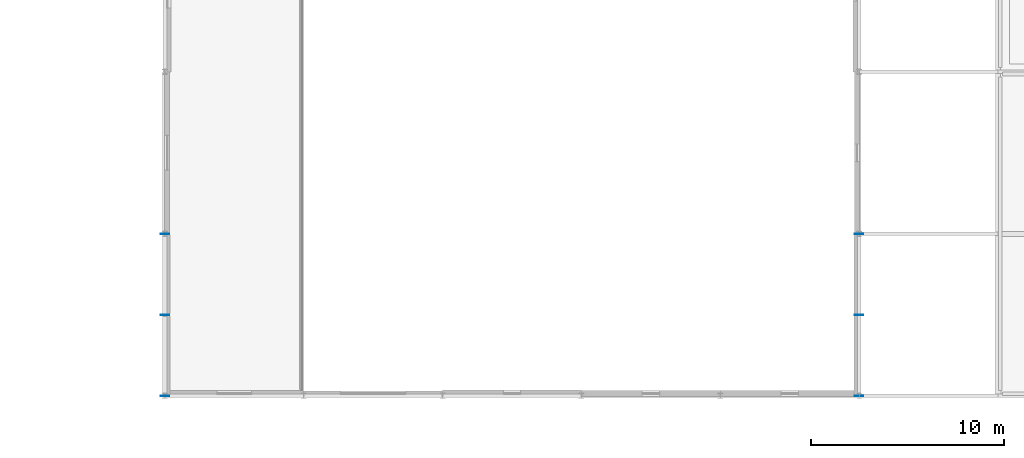
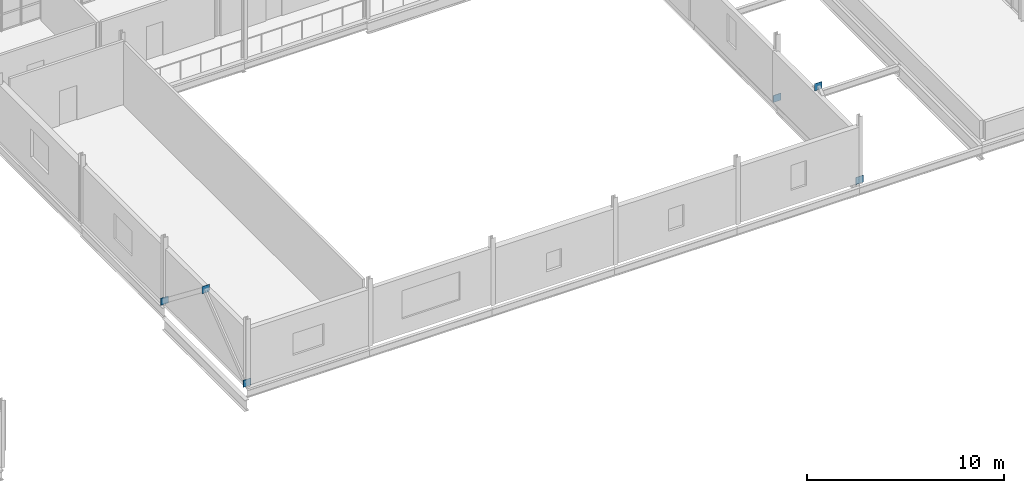
# One storey, part 85 of 119: 6 plates.
"""IFC4 building model written with IfcOpenShell, lengths in metres."""

from ifc_helpers import new_model, si_unit, direction, frame, origin, origin_2d, place, context, subcontext, project, spatial, rectangle, extrude, material, layer, layer_set, type_object, element, save


model = new_model("IFC4")

# Units and contexts
model_context = context("Model", 3, precision=1e-05, world=origin(), true_north=direction((0.0, 1.0)))
body_context = subcontext(model_context, "Body", "Model", "MODEL_VIEW")
ifc_project = project(units=[si_unit("LENGTHUNIT", "METRE"), si_unit("AREAUNIT", "SQUARE_METRE"), si_unit("VOLUMEUNIT", "CUBIC_METRE"), si_unit("PLANEANGLEUNIT", "RADIAN"), si_unit("MASSUNIT", "GRAM", prefix="KILO")], contexts=[model_context])

# Site, building, storey
site_placement = place(None, origin())
site = spatial("IfcSite", under=ifc_project, at=site_placement, CompositionType="ELEMENT")
building_placement = place(site_placement, origin())
building = spatial("IfcBuilding", under=site, at=building_placement, Name="Qelthora Terrace Specialist Clinic", CompositionType="ELEMENT")
storey_placement = place(building_placement, frame((0.0, 0.0, 4.800048828125)))
storey = spatial("IfcBuildingStorey", under=building, at=storey_placement, Name="L01", CompositionType="ELEMENT", Elevation=4.800048828125)

# Plates
ifc_material = material(Name="Steel S355", Category="steel")
ifc_layer = layer(ifc_material, 0.02001953125)
ifc_layer_set = layer_set([ifc_layer], Name="Steel S355")
plate_type = type_object("IfcPlateType", Name="PLT-GUS-480X480X20", PredefinedType="USERDEFINED", material=ifc_layer_set)
for number, where, z_axis, x_axis, name in (
    (1, (57.60009765625, 0.0, -0.0400390625), (0.0, 0.0, 1.0), (1.0, 0.0, 0.0), "Steel truss node plate GPLT-0179"),
    (2, (57.60009765625, 4.199951171875, 3.22998046875), (0.0, 0.0, 1.0), (1.0, 0.0, 0.0), "Steel truss node plate GPLT-0180"),
    (3, (57.60009765625, 8.39990234375, -0.0400390625), (0.0, 0.0, 1.0), (1.0, 0.0, 0.0), "Steel truss node plate GPLT-0181"),
    (4, (93.60009765625, 0.0, -0.0400390625), (0.0, 0.0, 1.0), (1.0, 0.0, 0.0), "Steel truss node plate GPLT-0185"),
    (5, (93.60009765625, 4.199951171875, 3.22998046875), (0.0, 0.0, 1.0), (1.0, 0.0, 0.0), "Steel truss node plate GPLT-0186"),
    (6, (93.60009765625, 8.39990234375, -0.0400390625), (0.0, 0.0, 1.0), (1.0, 0.0, 0.0), "Steel truss node plate GPLT-0187"),
):
    element("IfcPlate", number, at=place(storey_placement, frame(where, z_axis=z_axis, x_axis=x_axis)), inside=storey, type_object=plate_type, Name=name, ObjectType="GUSSET PLATE", PredefinedType="USERDEFINED", context=body_context, shape_type="SweptSolid", body=[
        extrude(rectangle(XDim=0.43994140625, YDim=0.02001953125, at=origin_2d()), origin(), (0.0, 0.0, 1.0), 0.43994140625),
    ])

save(model, "model.ifc")
